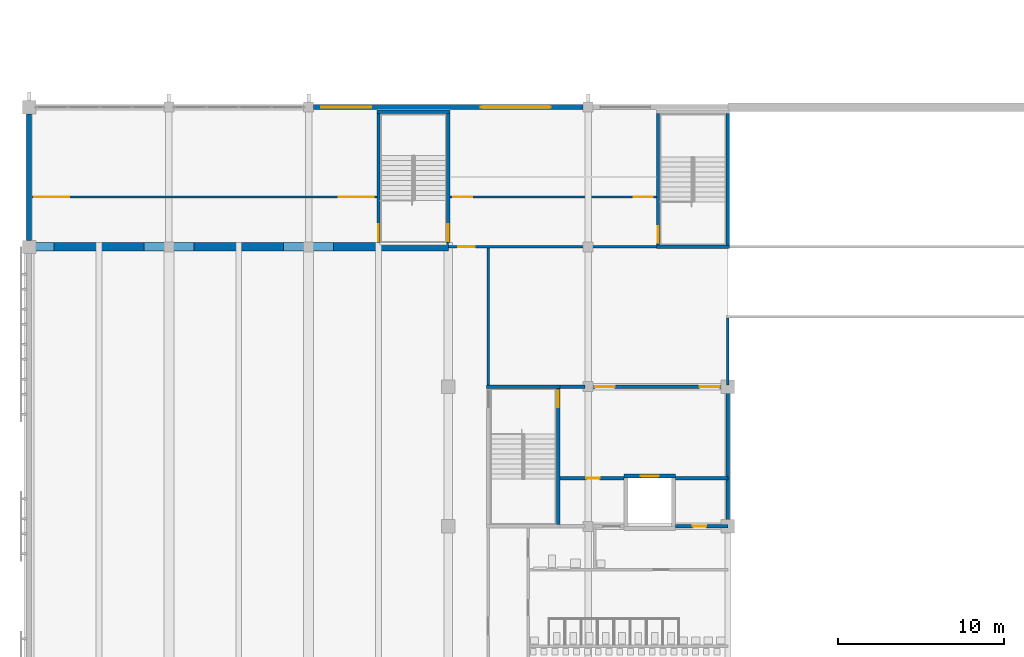
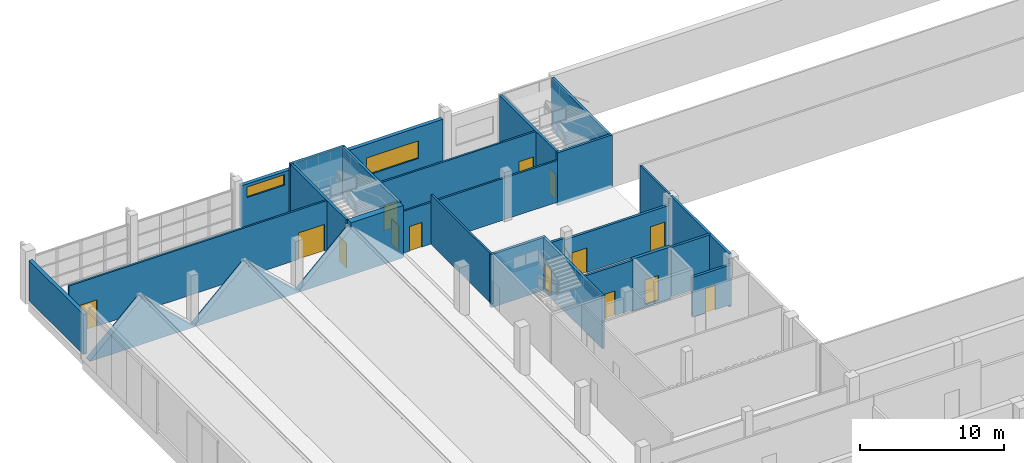
# One storey, part 19 of 56: 23 walls, 14 doors, 2 windows, 16 openings.
"""IFC4 building model written with IfcOpenShell, lengths in metres."""

from ifc_helpers import new_model, si_unit, direction, frame, frame_2d, origin, place, context, subcontext, project, spatial, polyline, rectangle, outline, extrude, material, layer, layer_set, type_object, element, fill, save


model = new_model("IFC4")

# Units and contexts
model_context = context("Model", 3, precision=1e-05, world=origin(), true_north=direction((0.0, 1.0)))
body_context = subcontext(model_context, "Body", "Model", "MODEL_VIEW")
ifc_project = project(units=[si_unit("LENGTHUNIT", "METRE"), si_unit("AREAUNIT", "SQUARE_METRE"), si_unit("VOLUMEUNIT", "CUBIC_METRE"), si_unit("PLANEANGLEUNIT", "RADIAN"), si_unit("MASSUNIT", "GRAM", prefix="KILO")], contexts=[model_context])

# Site, building, storey
site_placement = place(None, origin())
site = spatial("IfcSite", under=ifc_project, at=site_placement, CompositionType="ELEMENT")
building_placement = place(site_placement, origin())
building = spatial("IfcBuilding", under=site, at=building_placement, Name="Rulbaag Community and Learning Centre", CompositionType="ELEMENT")
storey_placement = place(building_placement, frame((0.0, 0.0, 9.89990234375)))
storey = spatial("IfcBuildingStorey", under=building, at=storey_placement, Name="L02", CompositionType="ELEMENT", Elevation=9.89990234375)

# Wall, openings, windows
ifc_material_1 = material(Name="Concrete M40", Category="concrete")
ifc_layer_1 = layer(ifc_material_1, 0.300048828125)
ifc_layer_set_1 = layer_set([ifc_layer_1], Name="EW-CONC300")
wall_type_1 = type_object("IfcWallType", Name="EW-CONC300", PredefinedType="STANDARD", material=ifc_layer_set_1)
wall_1_placement = place(storey_placement, frame((17.10009765625, 50.39990234375, 0.0), z_axis=(0.0, 0.0, 1.0), x_axis=(1.0, 0.0, 0.0)))
wall_1 = element("IfcWall", 1, at=wall_1_placement, inside=storey, type_object=wall_type_1, Name="Board-marked concrete cladding wall AN", PredefinedType="STANDARD", context=body_context, shape_type="SweptSolid", body=[
    extrude(rectangle(XDim=16.199951171875, YDim=0.300048828125, at=frame_2d((8.10009765625, 0.0))), origin(), (0.0, 0.0, 1.0), 3.550048828125),
])
opening_1_placement = place(wall_1_placement, frame((0.449951171875, 0.0, 2.39990234375)))
opening_1 = element("IfcOpeningElement", 2, at=opening_1_placement, cuts=wall_1, Name="Opening WN12", PredefinedType="OPENING", context=body_context, shape_type="SweptSolid", body=[
    extrude(rectangle(XDim=3.0, YDim=0.89990234375, at=frame_2d((1.5, 0.449951171875))), frame((0.0, 0.159912109375, 0.0), z_axis=(0.0, -1.0, 0.0), x_axis=(1.0, 0.0, 0.0)), (0.0, 0.0, 1.0), 0.320068359375),
])
opening_2_placement = place(wall_1_placement, frame((10.050048828125, 0.0, 0.89990234375)))
opening_2 = element("IfcOpeningElement", 3, at=opening_2_placement, cuts=wall_1, Name="Opening WN4", PredefinedType="OPENING", context=body_context, shape_type="SweptSolid", body=[
    extrude(rectangle(XDim=4.199951171875, YDim=1.5, at=frame_2d((2.10009765625, 0.75))), frame((0.0, 0.159912109375, 0.0), z_axis=(0.0, -1.0, 0.0), x_axis=(1.0, 0.0, 0.0)), (0.0, 0.0, 1.0), 0.320068359375),
])
ifc_material_2 = material(Name="Aluminium", Category="aluminium")
window_type_1 = type_object("IfcWindowType", Name="WL-30", PartitioningType="TRIPLE_PANEL_VERTICAL", PredefinedType="WINDOW", material=ifc_material_2)
window_1_placement = place(opening_1_placement, origin())
window_1 = element("IfcWindow", 4, at=window_1_placement, inside=storey, type_object=window_type_1, Name="Window WN12", OverallHeight=0.89990234375, OverallWidth=3.0, PartitioningType="SINGLE_PANEL", PredefinedType="WINDOW", context=body_context, shape_type="SweptSolid", body=[
    extrude(rectangle(XDim=3.0, YDim=0.89990234375, at=frame_2d((1.5, 0.449951171875))), frame((0.0, 0.030029296875, 0.0), z_axis=(0.0, -1.0, 0.0), x_axis=(1.0, 0.0, 0.0)), (0.0, 0.0, 1.0), 0.06005859375),
])
fill(opening_1, window_1)
window_type_2 = type_object("IfcWindowType", Name="WN-42", PartitioningType="TRIPLE_PANEL_VERTICAL", PredefinedType="WINDOW", material=ifc_material_2)
window_2_placement = place(opening_2_placement, origin())
window_2 = element("IfcWindow", 5, at=window_2_placement, inside=storey, type_object=window_type_2, Name="Window WN4", OverallHeight=1.5, OverallWidth=4.199951171875, PartitioningType="SINGLE_PANEL", PredefinedType="WINDOW", context=body_context, shape_type="SweptSolid", body=[
    extrude(rectangle(XDim=4.199951171875, YDim=1.5, at=frame_2d((2.10009765625, 0.75))), frame((0.0, 0.030029296875, 0.0), z_axis=(0.0, -1.0, 0.0), x_axis=(1.0, 0.0, 0.0)), (0.0, 0.0, 1.0), 0.06005859375),
])
fill(opening_2, window_2)

# Walls
wall_2_placement = place(storey_placement, frame((0.0, 42.39990234375, 0.0), z_axis=(0.0, 0.0, 1.0), x_axis=(0.0, 1.0, 0.0)))
element("IfcWall", 6, at=wall_2_placement, inside=storey, type_object=wall_type_1, Name="Board-marked concrete cladding wall AW", PredefinedType="STANDARD", context=body_context, shape_type="SweptSolid", body=[
    extrude(rectangle(XDim=7.60009765625, YDim=0.300048828125, at=frame_2d((3.800048828125, 0.0))), origin(), (0.0, 0.0, 1.0), 3.400146484375),
])
ifc_material_3 = material(Name="Concrete blockwork", Category="masonry")
ifc_layer_2 = layer(ifc_material_3, 0.199951171875)
ifc_layer_set_2 = layer_set([ifc_layer_2], Name="FW-200 FIRE WALL 200")
wall_type_2 = type_object("IfcWallType", Name="FW-200 FIRE WALL 200", PredefinedType="SOLIDWALL", material=ifc_layer_set_2)
wall_3_placement = place(storey_placement, frame((42.0, 25.300048828125, -0.2998046875), z_axis=(0.0, 0.0, 1.0), x_axis=(0.0, 1.0, 0.0)))
element("IfcWall", 7, at=wall_3_placement, inside=storey, type_object=wall_type_2, Name="Fire wall L02 68", PredefinedType="SOLIDWALL", context=body_context, shape_type="SweptSolid", body=[
    extrude(rectangle(XDim=8.199951171875, YDim=0.199951171875, at=frame_2d((4.10009765625, 0.0))), origin(), (0.0, 0.0, 1.0), 4.5),
])

# Wall, opening, door
wall_4_placement = place(storey_placement, frame((38.85009765625, 25.199951171875, 0.0), z_axis=(0.0, 0.0, 1.0), x_axis=(1.0, 0.0, 0.0)))
wall_4 = element("IfcWall", 8, at=wall_4_placement, inside=storey, type_object=wall_type_2, Name="Fire wall L02 18", PredefinedType="SOLIDWALL", context=body_context, shape_type="SweptSolid", body=[
    extrude(rectangle(XDim=3.14990234375, YDim=0.199951171875, at=frame_2d((1.574951171875, 0.0))), origin(), (0.0, 0.0, 1.0), 3.400146484375),
])
opening_3_placement = place(wall_4_placement, frame((1.050048828125, 0.0, 0.0)))
opening_3 = element("IfcOpeningElement", 9, at=opening_3_placement, cuts=wall_4, Name="Opening L02-D039", PredefinedType="OPENING", context=body_context, shape_type="SweptSolid", body=[
    extrude(rectangle(XDim=0.800048828125, YDim=2.10009765625, at=frame_2d((0.39990234375, 1.050048828125))), frame((0.0, 0.10986328125, 0.0), z_axis=(0.0, -1.0, 0.0), x_axis=(1.0, 0.0, 0.0)), (0.0, 0.0, 1.0), 0.219970703125),
])
ifc_material_4 = material(Name="Galvanised steel", Category="steel")
door_type_1 = type_object("IfcDoorType", Name="FDR-800 RISER FIRE DOOR 800 x 2100", OperationType="SINGLE_SWING_LEFT", PredefinedType="DOOR", material=ifc_material_4)
door_1_placement = place(opening_3_placement, origin())
door_1 = element("IfcDoor", 10, at=door_1_placement, inside=storey, type_object=door_type_1, Name="Riser door L02-D043", OperationType="SINGLE_SWING_LEFT", OverallHeight=2.10009765625, OverallWidth=0.800048828125, PredefinedType="DOOR", context=body_context, shape_type="SweptSolid", body=[
    extrude(rectangle(XDim=0.800048828125, YDim=2.10009765625, at=frame_2d((0.39990234375, 1.050048828125))), frame((0.0, 0.02490234375, 0.0), z_axis=(0.0, -1.0, 0.0), x_axis=(1.0, 0.0, 0.0)), (0.0, 0.0, 1.0), 0.050048828125),
])
fill(opening_3, door_1)

wall_5_placement = place(storey_placement, frame((31.89990234375, 28.10009765625, 0.0), z_axis=(0.0, 0.0, 1.0), x_axis=(1.0, 0.0, 0.0)))
wall_5 = element("IfcWall", 11, at=wall_5_placement, inside=storey, type_object=wall_type_2, Name="Fire wall L02 21", PredefinedType="SOLIDWALL", context=body_context, shape_type="SweptSolid", body=[
    extrude(rectangle(XDim=3.85009765625, YDim=0.199951171875, at=frame_2d((1.925048828125, 0.0))), origin(), (0.0, 0.0, 1.0), 4.2001953125),
])
opening_4_placement = place(wall_5_placement, frame((1.60009765625, 0.0, 0.0)))
opening_4 = element("IfcOpeningElement", 12, at=opening_4_placement, cuts=wall_5, Name="Opening L02-D023", PredefinedType="OPENING", context=body_context, shape_type="SweptSolid", body=[
    extrude(rectangle(XDim=0.800048828125, YDim=2.10009765625, at=frame_2d((0.39990234375, 1.050048828125))), frame((0.0, 0.10986328125, 0.0), z_axis=(0.0, -1.0, 0.0), x_axis=(1.0, 0.0, 0.0)), (0.0, 0.0, 1.0), 0.219970703125),
])
door_2_placement = place(opening_4_placement, origin())
door_2 = element("IfcDoor", 13, at=door_2_placement, inside=storey, type_object=door_type_1, Name="Riser door L02-D042", OperationType="SINGLE_SWING_RIGHT", OverallHeight=2.10009765625, OverallWidth=0.800048828125, PredefinedType="DOOR", context=body_context, shape_type="SweptSolid", body=[
    extrude(rectangle(XDim=0.800048828125, YDim=2.10009765625, at=frame_2d((0.39990234375, 1.050048828125))), frame((0.0, 0.02490234375, 0.0), z_axis=(0.0, -1.0, 0.0), x_axis=(1.0, 0.0, 0.0)), (0.0, 0.0, 1.0), 0.050048828125),
])
fill(opening_4, door_2)

# Walls
wall_6_placement = place(storey_placement, frame((38.85009765625, 28.10009765625, 0.0), z_axis=(0.0, 0.0, 1.0), x_axis=(1.0, 0.0, 0.0)))
element("IfcWall", 14, at=wall_6_placement, inside=storey, type_object=wall_type_2, Name="Fire wall L02 22", PredefinedType="SOLIDWALL", context=body_context, shape_type="SweptSolid", body=[
    extrude(rectangle(XDim=3.14990234375, YDim=0.199951171875, at=frame_2d((1.574951171875, 0.0))), origin(), (0.0, 0.0, 1.0), 4.2001953125),
])
wall_7_placement = place(storey_placement, frame((31.89990234375, 33.60009765625, 0.0), z_axis=(0.0, 0.0, 1.0), x_axis=(1.0, 0.0, 0.0)))
element("IfcWall", 15, at=wall_7_placement, inside=storey, type_object=wall_type_2, Name="Fire wall L02 23", PredefinedType="SOLIDWALL", context=body_context, shape_type="SweptSolid", body=[
    extrude(rectangle(XDim=1.5, YDim=0.199951171875, at=frame_2d((0.75, 0.0))), origin(), (0.0, 0.0, 1.0), 3.550048828125),
])

# Wall, openings, doors
wall_8_placement = place(storey_placement, frame((33.39990234375, 33.60009765625, 0.0), z_axis=(0.0, 0.0, 1.0), x_axis=(1.0, 0.0, 0.0)))
wall_8 = element("IfcWall", 16, at=wall_8_placement, inside=storey, type_object=wall_type_2, Name="Fire wall L02 23.2", PredefinedType="SOLIDWALL", context=body_context, shape_type="SweptSolid", body=[
    extrude(rectangle(XDim=8.60009765625, YDim=0.199951171875, at=frame_2d((4.300048828125, 0.0))), origin(), (0.0, 0.0, 1.0), 3.400146484375),
])
opening_5_placement = place(wall_8_placement, frame((0.60009765625, 0.0, 0.0)))
opening_5 = element("IfcOpeningElement", 17, at=opening_5_placement, cuts=wall_8, Name="Opening L02-D024", PredefinedType="OPENING", context=body_context, shape_type="SweptSolid", body=[
    extrude(rectangle(XDim=1.199951171875, YDim=2.10009765625, at=frame_2d((0.60009765625, 1.050048828125))), frame((0.0, 0.10986328125, 0.0), z_axis=(0.0, -1.0, 0.0), x_axis=(1.0, 0.0, 0.0)), (0.0, 0.0, 1.0), 0.219970703125),
])
opening_6_placement = place(wall_8_placement, frame((6.89990234375, 0.0, 0.0)))
opening_6 = element("IfcOpeningElement", 18, at=opening_6_placement, cuts=wall_8, Name="Opening L02-D040", PredefinedType="OPENING", context=body_context, shape_type="SweptSolid", body=[
    extrude(rectangle(XDim=1.199951171875, YDim=2.10009765625, at=frame_2d((0.60009765625, 1.050048828125))), frame((0.0, 0.10986328125, 0.0), z_axis=(0.0, -1.0, 0.0), x_axis=(1.0, 0.0, 0.0)), (0.0, 0.0, 1.0), 0.219970703125),
])
door_type_2 = type_object("IfcDoorType", Name="FDC-1200 CLASSROOM FIRE DOOR 1200 x 2100", OperationType="SINGLE_SWING_LEFT", PredefinedType="DOOR", material=ifc_material_4)
door_3_placement = place(opening_5_placement, origin())
door_3 = element("IfcDoor", 19, at=door_3_placement, inside=storey, type_object=door_type_2, Name="Door L02-D024", OperationType="SINGLE_SWING_LEFT", OverallHeight=2.10009765625, OverallWidth=1.199951171875, PredefinedType="DOOR", context=body_context, shape_type="SweptSolid", body=[
    extrude(rectangle(XDim=1.199951171875, YDim=2.10009765625, at=frame_2d((0.60009765625, 1.050048828125))), frame((0.0, 0.02490234375, 0.0), z_axis=(0.0, -1.0, 0.0), x_axis=(1.0, 0.0, 0.0)), (0.0, 0.0, 1.0), 0.050048828125),
])
fill(opening_5, door_3)
door_4_placement = place(opening_6_placement, origin())
door_4 = element("IfcDoor", 20, at=door_4_placement, inside=storey, type_object=door_type_2, Name="Door L02-D040", OperationType="SINGLE_SWING_RIGHT", OverallHeight=2.10009765625, OverallWidth=1.199951171875, PredefinedType="DOOR", context=body_context, shape_type="SweptSolid", body=[
    extrude(rectangle(XDim=1.199951171875, YDim=2.10009765625, at=frame_2d((0.60009765625, 1.050048828125))), frame((0.0, 0.02490234375, 0.0), z_axis=(0.0, -1.0, 0.0), x_axis=(1.0, 0.0, 0.0)), (0.0, 0.0, 1.0), 0.050048828125),
])
fill(opening_6, door_4)

# Wall
ifc_layer_3 = layer(ifc_material_3, 0.14990234375)
ifc_layer_set_3 = layer_set([ifc_layer_3], Name="IP-150 PARTITION 150")
wall_type_3 = type_object("IfcWallType", Name="IP-150 PARTITION 150", PredefinedType="PARTITIONING", material=ifc_layer_set_3)
wall_9_placement = place(storey_placement, frame((42.0, 33.699951171875, -0.2998046875), z_axis=(0.0, 0.0, 1.0), x_axis=(0.0, 1.0, 0.0)))
element("IfcWall", 21, at=wall_9_placement, inside=storey, type_object=wall_type_3, Name="Partition L02 69", PredefinedType="PARTITIONING", context=body_context, shape_type="SweptSolid", body=[
    extrude(rectangle(XDim=4.025146484375, YDim=0.14990234375, at=frame_2d((2.0126953125, 0.0))), origin(), (0.0, 0.0, 1.0), 4.5),
])

# Wall, opening, door
wall_10_placement = place(storey_placement, frame((25.199951171875, 42.0, 0.0), z_axis=(0.0, 0.0, 1.0), x_axis=(1.0, 0.0, 0.0)))
wall_10 = element("IfcWall", 22, at=wall_10_placement, inside=storey, type_object=wall_type_3, Name="Partition L02 24", PredefinedType="PARTITIONING", context=body_context, shape_type="SweptSolid", body=[
    extrude(rectangle(XDim=12.5, YDim=0.14990234375, at=frame_2d((6.25, 0.0))), origin(), (0.0, 0.0, 1.0), 3.550048828125),
])
opening_7_placement = place(wall_10_placement, frame((0.60009765625, 0.0, 0.0)))
opening_7 = element("IfcOpeningElement", 23, at=opening_7_placement, cuts=wall_10, Name="Opening L02-D009", PredefinedType="OPENING", context=body_context, shape_type="SweptSolid", body=[
    extrude(rectangle(XDim=1.0, YDim=2.10009765625, at=frame_2d((0.5, 1.050048828125))), frame((0.0, 0.0849609375, 0.0), z_axis=(0.0, -1.0, 0.0), x_axis=(1.0, 0.0, 0.0)), (0.0, 0.0, 1.0), 0.169921875),
])
ifc_material_5 = material(Name="Timber", Category="wood")
door_type_3 = type_object("IfcDoorType", Name="D-1000 DOOR 1000 x 2100", OperationType="SINGLE_SWING_LEFT", PredefinedType="DOOR", material=ifc_material_5)
door_5_placement = place(opening_7_placement, origin())
door_5 = element("IfcDoor", 24, at=door_5_placement, inside=storey, type_object=door_type_3, Name="Door L02-D009", OperationType="SINGLE_SWING_LEFT", OverallHeight=2.10009765625, OverallWidth=1.0, PredefinedType="DOOR", context=body_context, shape_type="SweptSolid", body=[
    extrude(rectangle(XDim=1.0, YDim=2.10009765625, at=frame_2d((0.5, 1.050048828125))), frame((0.0, 0.02490234375, 0.0), z_axis=(0.0, -1.0, 0.0), x_axis=(1.0, 0.0, 0.0)), (0.0, 0.0, 1.0), 0.050048828125),
])
fill(opening_7, door_5)

# Wall, openings, doors
wall_11_placement = place(storey_placement, frame((0.14990234375, 45.0, 0.0), z_axis=(0.0, 0.0, 1.0), x_axis=(1.0, 0.0, 0.0)))
wall_11 = element("IfcWall", 25, at=wall_11_placement, inside=storey, type_object=wall_type_3, Name="Partition L02 30", PredefinedType="PARTITIONING", context=body_context, shape_type="SweptSolid", body=[
    extrude(rectangle(XDim=20.75, YDim=0.14990234375, at=frame_2d((10.375, 0.0))), origin(), (0.0, 0.0, 1.0), 4.2001953125),
])
opening_8_placement = place(wall_11_placement, frame((0.14990234375, 0.0, 0.0)))
opening_8 = element("IfcOpeningElement", 26, at=opening_8_placement, cuts=wall_11, Name="Opening L02-D001", PredefinedType="OPENING", context=body_context, shape_type="SweptSolid", body=[
    extrude(rectangle(XDim=2.10009765625, YDim=2.25, at=frame_2d((1.050048828125, 1.125))), frame((0.0, 0.0849609375, 0.0), z_axis=(0.0, -1.0, 0.0), x_axis=(1.0, 0.0, 0.0)), (0.0, 0.0, 1.0), 0.169921875),
])
opening_9_placement = place(wall_11_placement, frame((18.449951171875, 0.0, 0.0)))
opening_9 = element("IfcOpeningElement", 27, at=opening_9_placement, cuts=wall_11, Name="Opening L02-D004", PredefinedType="OPENING", context=body_context, shape_type="SweptSolid", body=[
    extrude(rectangle(XDim=2.10009765625, YDim=2.25, at=frame_2d((1.050048828125, 1.125))), frame((0.0, 0.0849609375, 0.0), z_axis=(0.0, -1.0, 0.0), x_axis=(1.0, 0.0, 0.0)), (0.0, 0.0, 1.0), 0.169921875),
])
door_type_4 = type_object("IfcDoorType", Name="D-2100 LIBRARY ENTRANCE DOOR PAIR 2100 x 2250", OperationType="DOUBLE_DOOR_SINGLE_SWING", PredefinedType="DOOR", material=ifc_material_5)
door_6_placement = place(opening_8_placement, origin())
door_6 = element("IfcDoor", 28, at=door_6_placement, inside=storey, type_object=door_type_4, Name="Door L02-D001", OperationType="DOUBLE_DOOR_SINGLE_SWING", OverallHeight=2.25, OverallWidth=2.10009765625, PredefinedType="DOOR", context=body_context, shape_type="SweptSolid", body=[
    extrude(rectangle(XDim=2.10009765625, YDim=2.25, at=frame_2d((1.050048828125, 1.125))), frame((0.0, 0.02490234375, 0.0), z_axis=(0.0, -1.0, 0.0), x_axis=(1.0, 0.0, 0.0)), (0.0, 0.0, 1.0), 0.050048828125),
])
fill(opening_8, door_6)
door_7_placement = place(opening_9_placement, origin())
door_7 = element("IfcDoor", 29, at=door_7_placement, inside=storey, type_object=door_type_4, Name="Door L02-D004", OperationType="DOUBLE_DOOR_SINGLE_SWING", OverallHeight=2.25, OverallWidth=2.10009765625, PredefinedType="DOOR", context=body_context, shape_type="SweptSolid", body=[
    extrude(rectangle(XDim=2.10009765625, YDim=2.25, at=frame_2d((1.050048828125, 1.125))), frame((0.0, 0.02490234375, 0.0), z_axis=(0.0, -1.0, 0.0), x_axis=(1.0, 0.0, 0.0)), (0.0, 0.0, 1.0), 0.050048828125),
])
fill(opening_9, door_7)

wall_12_placement = place(storey_placement, frame((25.300048828125, 45.0, 0.0), z_axis=(0.0, 0.0, 1.0), x_axis=(1.0, 0.0, 0.0)))
wall_12 = element("IfcWall", 30, at=wall_12_placement, inside=storey, type_object=wall_type_3, Name="Partition L02 31", PredefinedType="PARTITIONING", context=body_context, shape_type="SweptSolid", body=[
    extrude(rectangle(XDim=12.39990234375, YDim=0.14990234375, at=frame_2d((6.199951171875, 0.0))), origin(), (0.0, 0.0, 1.0), 4.2001953125),
])
opening_10_placement = place(wall_12_placement, frame((0.199951171875, 0.0, 0.0)))
opening_10 = element("IfcOpeningElement", 31, at=opening_10_placement, cuts=wall_12, Name="Opening L02-D007", PredefinedType="OPENING", context=body_context, shape_type="SweptSolid", body=[
    extrude(rectangle(XDim=1.14990234375, YDim=2.10009765625, at=frame_2d((0.574951171875, 1.050048828125))), frame((0.0, 0.0849609375, 0.0), z_axis=(0.0, -1.0, 0.0), x_axis=(1.0, 0.0, 0.0)), (0.0, 0.0, 1.0), 0.169921875),
])
opening_11_placement = place(wall_12_placement, frame((11.050048828125, 0.0, 0.0)))
opening_11 = element("IfcOpeningElement", 32, at=opening_11_placement, cuts=wall_12, Name="Opening L02-D033", PredefinedType="OPENING", context=body_context, shape_type="SweptSolid", body=[
    extrude(rectangle(XDim=1.14990234375, YDim=2.10009765625, at=frame_2d((0.574951171875, 1.050048828125))), frame((0.0, 0.0849609375, 0.0), z_axis=(0.0, -1.0, 0.0), x_axis=(1.0, 0.0, 0.0)), (0.0, 0.0, 1.0), 0.169921875),
])
door_type_5 = type_object("IfcDoorType", Name="D-1150 YOUTH ROOM DOOR 1150 x 2100", OperationType="SINGLE_SWING_LEFT", PredefinedType="DOOR", material=ifc_material_5)
door_8_placement = place(opening_10_placement, origin())
door_8 = element("IfcDoor", 33, at=door_8_placement, inside=storey, type_object=door_type_5, Name="Door L02-D007", OperationType="SINGLE_SWING_RIGHT", OverallHeight=2.10009765625, OverallWidth=1.14990234375, PredefinedType="DOOR", context=body_context, shape_type="SweptSolid", body=[
    extrude(rectangle(XDim=1.14990234375, YDim=2.10009765625, at=frame_2d((0.574951171875, 1.050048828125))), frame((0.0, 0.02490234375, 0.0), z_axis=(0.0, -1.0, 0.0), x_axis=(1.0, 0.0, 0.0)), (0.0, 0.0, 1.0), 0.050048828125),
])
fill(opening_10, door_8)
door_9_placement = place(opening_11_placement, origin())
door_9 = element("IfcDoor", 34, at=door_9_placement, inside=storey, type_object=door_type_5, Name="Door L02-D033", OperationType="SINGLE_SWING_LEFT", OverallHeight=2.10009765625, OverallWidth=1.14990234375, PredefinedType="DOOR", context=body_context, shape_type="SweptSolid", body=[
    extrude(rectangle(XDim=1.14990234375, YDim=2.10009765625, at=frame_2d((0.574951171875, 1.050048828125))), frame((0.0, 0.02490234375, 0.0), z_axis=(0.0, -1.0, 0.0), x_axis=(1.0, 0.0, 0.0)), (0.0, 0.0, 1.0), 0.050048828125),
])
fill(opening_11, door_9)

# Walls
wall_13_placement = place(storey_placement, frame((27.60009765625, 33.5, 0.0), z_axis=(0.0, 0.0, 1.0), x_axis=(0.0, 1.0, 0.0)))
element("IfcWall", 35, at=wall_13_placement, inside=storey, type_object=wall_type_3, Name="Partition L02 51", PredefinedType="PARTITIONING", context=body_context, shape_type="SweptSolid", body=[
    extrude(rectangle(XDim=8.425048828125, YDim=0.14990234375, at=frame_2d((4.21240234375, 0.0))), origin(), (0.0, 0.0, 1.0), 4.2001953125),
])
ifc_layer_4 = layer(ifc_material_1, 0.5)
ifc_layer_set_4 = layer_set([ifc_layer_4], Name="W13 Shear wall 500 Concrete M40")
wall_type_4 = type_object("IfcWallType", Name="W13 Shear wall 500 Concrete M40", PredefinedType="SHEAR", material=ifc_layer_set_4)
wall_14_placement = place(storey_placement, frame((0.0, 42.0, -0.25), z_axis=(0.0, 0.0, 1.0), x_axis=(1.0, 0.0, 0.0)))
element("IfcWall", 36, at=wall_14_placement, inside=storey, type_object=wall_type_4, Name="WL-XPN-L02", PredefinedType="SHEAR", context=body_context, shape_type="SweptSolid", body=[
    extrude(outline(polyline([(0.0, 0.0), (25.199951171875, 0.0), (25.200927734375, 0.050048828125), (25.199951171875, 4.4501953125), (21.0, 4.4501953125), (20.9990234375, 3.972900390625), (16.800048828125, 0.050048828125), (12.60009765625, 3.973876953125), (8.39990234375, 0.050048828125), (4.199951171875, 3.973876953125), (0.0, 0.050048828125), (0.0, 0.0)])), frame((0.0, 0.25, 0.0), z_axis=(0.0, -1.0, 0.0), x_axis=(1.0, 0.0, 0.0)), (0.0, 0.0, 1.0), 0.5),
])

# Wall, opening, door
ifc_layer_5 = layer(ifc_material_1, 0.25)
ifc_layer_set_5 = layer_set([ifc_layer_5], Name="W8 Lift shaft wall 250 Concrete M40")
wall_type_5 = type_object("IfcWallType", Name="W8 Lift shaft wall 250 Concrete M40", PredefinedType="SHEAR", material=ifc_layer_set_5)
wall_15_placement = place(storey_placement, frame((35.75, 28.22509765625, -0.25), z_axis=(0.0, 0.0, 1.0), x_axis=(1.0, 0.0, 0.0)))
wall_15 = element("IfcWall", 37, at=wall_15_placement, inside=storey, type_object=wall_type_5, Name="WL-LH1-N-L02", PredefinedType="SHEAR", context=body_context, shape_type="SweptSolid", body=[
    extrude(rectangle(XDim=3.10009765625, YDim=0.25, at=frame_2d((1.550048828125, 0.0))), origin(), (0.0, 0.0, 1.0), 4.4501953125),
])
opening_12_placement = place(wall_15_placement, frame((1.0, 0.0, 0.25)))
opening_12 = element("IfcOpeningElement", 38, at=opening_12_placement, cuts=wall_15, Name="Opening L02-D034", PredefinedType="OPENING", context=body_context, shape_type="SweptSolid", body=[
    extrude(rectangle(XDim=1.10009765625, YDim=2.10009765625, at=frame_2d((0.550048828125, 1.050048828125))), frame((0.0, 0.135009765625, 0.0), z_axis=(0.0, -1.0, 0.0), x_axis=(1.0, 0.0, 0.0)), (0.0, 0.0, 1.0), 0.27001953125),
])
ifc_material_6 = material(Name="Stainless steel grade 304", Category="steel")
door_type_6 = type_object("IfcDoorType", Name="LD-1100 LIFT LANDING DOOR 1100 x 2100", OperationType="SLIDING_TO_LEFT", PredefinedType="DOOR", material=ifc_material_6)
door_10_placement = place(opening_12_placement, origin())
door_10 = element("IfcDoor", 39, at=door_10_placement, inside=storey, type_object=door_type_6, Name="Lift landing door LH1 L02", OperationType="SLIDING_TO_LEFT", OverallHeight=2.10009765625, OverallWidth=1.10009765625, PredefinedType="DOOR", context=body_context, shape_type="SweptSolid", body=[
    extrude(rectangle(XDim=1.10009765625, YDim=2.10009765625, at=frame_2d((0.550048828125, 1.050048828125))), frame((0.0, 0.02490234375, 0.0), z_axis=(0.0, -1.0, 0.0), x_axis=(1.0, 0.0, 0.0)), (0.0, 0.0, 1.0), 0.050048828125),
])
fill(opening_12, door_10)

# Wall
ifc_layer_6 = layer(ifc_material_1, 0.199951171875)
ifc_layer_set_6 = layer_set([ifc_layer_6], Name="WSE Stair enclosure wall 200 Concrete M40")
wall_type_6 = type_object("IfcWallType", Name="WSE Stair enclosure wall 200 Concrete M40", PredefinedType="SHEAR", material=ifc_layer_set_6)
wall_16_placement = place(storey_placement, frame((20.89990234375, 50.125, -0.2998046875), z_axis=(0.0, 0.0, 1.0), x_axis=(1.0, 0.0, 0.0)))
element("IfcWall", 40, at=wall_16_placement, inside=storey, type_object=wall_type_6, Name="Stair enclosure wall SH0 N L02", PredefinedType="SHEAR", context=body_context, shape_type="SweptSolid", body=[
    extrude(rectangle(XDim=4.400146484375, YDim=0.199951171875, at=frame_2d((2.2001953125, 0.0))), origin(), (0.0, 0.0, 1.0), 4.5),
])

# Wall, opening, door
wall_17_placement = place(storey_placement, frame((21.0, 42.25, -0.2998046875), z_axis=(0.0, 0.0, 1.0), x_axis=(0.0, 1.0, 0.0)))
wall_17 = element("IfcWall", 41, at=wall_17_placement, inside=storey, type_object=wall_type_6, Name="Stair enclosure wall SH0 W L02", PredefinedType="SHEAR", context=body_context, shape_type="SweptSolid", body=[
    extrude(rectangle(XDim=7.77490234375, YDim=0.199951171875, at=frame_2d((3.887451171875, 0.0))), origin(), (0.0, 0.0, 1.0), 4.5),
])
opening_13_placement = place(wall_17_placement, frame((0.10009765625, 0.0, 0.300048828125)))
opening_13 = element("IfcOpeningElement", 42, at=opening_13_placement, cuts=wall_17, Name="Opening L02-D005", PredefinedType="OPENING", context=body_context, shape_type="SweptSolid", body=[
    extrude(rectangle(XDim=1.0, YDim=2.10009765625, at=frame_2d((0.5, 1.050048828125))), frame((0.0, 0.10986328125, 0.0), z_axis=(0.0, -1.0, 0.0), x_axis=(1.0, 0.0, 0.0)), (0.0, 0.0, 1.0), 0.219970703125),
])
door_type_7 = type_object("IfcDoorType", Name="FD-1000 FIRE DOOR 1000 x 2100", OperationType="SINGLE_SWING_LEFT", PredefinedType="DOOR", material=ifc_material_4)
door_11_placement = place(opening_13_placement, origin())
door_11 = element("IfcDoor", 43, at=door_11_placement, inside=storey, type_object=door_type_7, Name="Door L02-D005", OperationType="SINGLE_SWING_LEFT", OverallHeight=2.10009765625, OverallWidth=1.0, PredefinedType="DOOR", context=body_context, shape_type="SweptSolid", body=[
    extrude(rectangle(XDim=1.0, YDim=2.10009765625, at=frame_2d((0.5, 1.050048828125))), frame((0.0, 0.02490234375, 0.0), z_axis=(0.0, -1.0, 0.0), x_axis=(1.0, 0.0, 0.0)), (0.0, 0.0, 1.0), 0.050048828125),
])
fill(opening_13, door_11)

wall_18_placement = place(storey_placement, frame((25.199951171875, 42.25, -0.2998046875), z_axis=(0.0, 0.0, 1.0), x_axis=(0.0, 1.0, 0.0)))
wall_18 = element("IfcWall", 44, at=wall_18_placement, inside=storey, type_object=wall_type_6, Name="Stair enclosure wall SH0 E L02", PredefinedType="SHEAR", context=body_context, shape_type="SweptSolid", body=[
    extrude(rectangle(XDim=7.77490234375, YDim=0.199951171875, at=frame_2d((3.887451171875, 0.0))), origin(), (0.0, 0.0, 1.0), 4.5),
])
opening_14_placement = place(wall_18_placement, frame((0.10009765625, 0.0, 0.300048828125)))
opening_14 = element("IfcOpeningElement", 45, at=opening_14_placement, cuts=wall_18, Name="Opening L02-D006", PredefinedType="OPENING", context=body_context, shape_type="SweptSolid", body=[
    extrude(rectangle(XDim=1.0, YDim=2.10009765625, at=frame_2d((0.5, 1.050048828125))), frame((0.0, 0.10986328125, 0.0), z_axis=(0.0, -1.0, 0.0), x_axis=(1.0, 0.0, 0.0)), (0.0, 0.0, 1.0), 0.219970703125),
])
door_12_placement = place(opening_14_placement, origin())
door_12 = element("IfcDoor", 46, at=door_12_placement, inside=storey, type_object=door_type_7, Name="Door L02-D006", OperationType="SINGLE_SWING_RIGHT", OverallHeight=2.10009765625, OverallWidth=1.0, PredefinedType="DOOR", context=body_context, shape_type="SweptSolid", body=[
    extrude(rectangle(XDim=1.0, YDim=2.10009765625, at=frame_2d((0.5, 1.050048828125))), frame((0.0, 0.02490234375, 0.0), z_axis=(0.0, -1.0, 0.0), x_axis=(1.0, 0.0, 0.0)), (0.0, 0.0, 1.0), 0.050048828125),
])
fill(opening_14, door_12)

# Wall
wall_19_placement = place(storey_placement, frame((27.5, 33.60009765625, -0.2998046875), z_axis=(0.0, 0.0, 1.0), x_axis=(1.0, 0.0, 0.0)))
element("IfcWall", 47, at=wall_19_placement, inside=storey, type_object=wall_type_6, Name="Stair enclosure wall SH1 N L02", PredefinedType="SHEAR", context=body_context, shape_type="SweptSolid", body=[
    extrude(rectangle(XDim=4.39990234375, YDim=0.199951171875, at=frame_2d((2.199951171875, 0.0))), origin(), (0.0, 0.0, 1.0), 4.5),
])

# Wall, opening, door
wall_20_placement = place(storey_placement, frame((31.800048828125, 25.300048828125, -0.2998046875), z_axis=(0.0, 0.0, 1.0), x_axis=(0.0, 1.0, 0.0)))
wall_20 = element("IfcWall", 48, at=wall_20_placement, inside=storey, type_object=wall_type_6, Name="Stair enclosure wall SH1 E L02", PredefinedType="SHEAR", context=body_context, shape_type="SweptSolid", body=[
    extrude(rectangle(XDim=8.199951171875, YDim=0.199951171875, at=frame_2d((4.10009765625, 0.0))), origin(), (0.0, 0.0, 1.0), 4.5),
])
opening_15_placement = place(wall_20_placement, frame((7.050048828125, 0.0, 0.300048828125)))
opening_15 = element("IfcOpeningElement", 49, at=opening_15_placement, cuts=wall_20, Name="Opening L02-D017", PredefinedType="OPENING", context=body_context, shape_type="SweptSolid", body=[
    extrude(rectangle(XDim=1.0, YDim=2.10009765625, at=frame_2d((0.5, 1.050048828125))), frame((0.0, 0.10986328125, 0.0), z_axis=(0.0, -1.0, 0.0), x_axis=(1.0, 0.0, 0.0)), (0.0, 0.0, 1.0), 0.219970703125),
])
door_13_placement = place(opening_15_placement, origin())
door_13 = element("IfcDoor", 50, at=door_13_placement, inside=storey, type_object=door_type_7, Name="Door L02-D017", OperationType="SINGLE_SWING_RIGHT", OverallHeight=2.10009765625, OverallWidth=1.0, PredefinedType="DOOR", context=body_context, shape_type="SweptSolid", body=[
    extrude(rectangle(XDim=1.0, YDim=2.10009765625, at=frame_2d((0.5, 1.050048828125))), frame((0.0, 0.02490234375, 0.0), z_axis=(0.0, -1.0, 0.0), x_axis=(1.0, 0.0, 0.0)), (0.0, 0.0, 1.0), 0.050048828125),
])
fill(opening_15, door_13)

# Wall
wall_21_placement = place(storey_placement, frame((37.699951171875, 42.0, -0.2998046875), z_axis=(0.0, 0.0, 1.0), x_axis=(1.0, 0.0, 0.0)))
element("IfcWall", 51, at=wall_21_placement, inside=storey, type_object=wall_type_6, Name="Stair enclosure wall SH5 S L02", PredefinedType="SHEAR", context=body_context, shape_type="SweptSolid", body=[
    extrude(rectangle(XDim=4.400146484375, YDim=0.199951171875, at=frame_2d((2.2001953125, 0.0))), origin(), (0.0, 0.0, 1.0), 4.5),
])

# Wall, opening, door
wall_22_placement = place(storey_placement, frame((37.800048828125, 42.10009765625, -0.2998046875), z_axis=(0.0, 0.0, 1.0), x_axis=(0.0, 1.0, 0.0)))
wall_22 = element("IfcWall", 52, at=wall_22_placement, inside=storey, type_object=wall_type_6, Name="Stair enclosure wall SH5 W L02", PredefinedType="SHEAR", context=body_context, shape_type="SweptSolid", body=[
    extrude(rectangle(XDim=7.9248046875, YDim=0.199951171875, at=frame_2d((3.96240234375, 0.0))), origin(), (0.0, 0.0, 1.0), 4.5),
])
opening_16_placement = place(wall_22_placement, frame((0.14990234375, 0.0, 0.300048828125)))
opening_16 = element("IfcOpeningElement", 53, at=opening_16_placement, cuts=wall_22, Name="Opening L02-D036", PredefinedType="OPENING", context=body_context, shape_type="SweptSolid", body=[
    extrude(rectangle(XDim=1.0, YDim=2.10009765625, at=frame_2d((0.5, 1.050048828125))), frame((0.0, 0.10986328125, 0.0), z_axis=(0.0, -1.0, 0.0), x_axis=(1.0, 0.0, 0.0)), (0.0, 0.0, 1.0), 0.219970703125),
])
door_14_placement = place(opening_16_placement, origin())
door_14 = element("IfcDoor", 54, at=door_14_placement, inside=storey, type_object=door_type_7, Name="Door L02-D036", OperationType="SINGLE_SWING_LEFT", OverallHeight=2.10009765625, OverallWidth=1.0, PredefinedType="DOOR", context=body_context, shape_type="SweptSolid", body=[
    extrude(rectangle(XDim=1.0, YDim=2.10009765625, at=frame_2d((0.5, 1.050048828125))), frame((0.0, 0.02490234375, 0.0), z_axis=(0.0, -1.0, 0.0), x_axis=(1.0, 0.0, 0.0)), (0.0, 0.0, 1.0), 0.050048828125),
])
fill(opening_16, door_14)

# Wall
wall_23_placement = place(storey_placement, frame((42.0, 42.10009765625, -0.2998046875), z_axis=(0.0, 0.0, 1.0), x_axis=(0.0, 1.0, 0.0)))
element("IfcWall", 55, at=wall_23_placement, inside=storey, type_object=wall_type_6, Name="Stair enclosure wall SH5 E L02", PredefinedType="SHEAR", context=body_context, shape_type="SweptSolid", body=[
    extrude(rectangle(XDim=7.9248046875, YDim=0.199951171875, at=frame_2d((3.96240234375, 0.0))), origin(), (0.0, 0.0, 1.0), 4.5),
])

save(model, "model.ifc")
